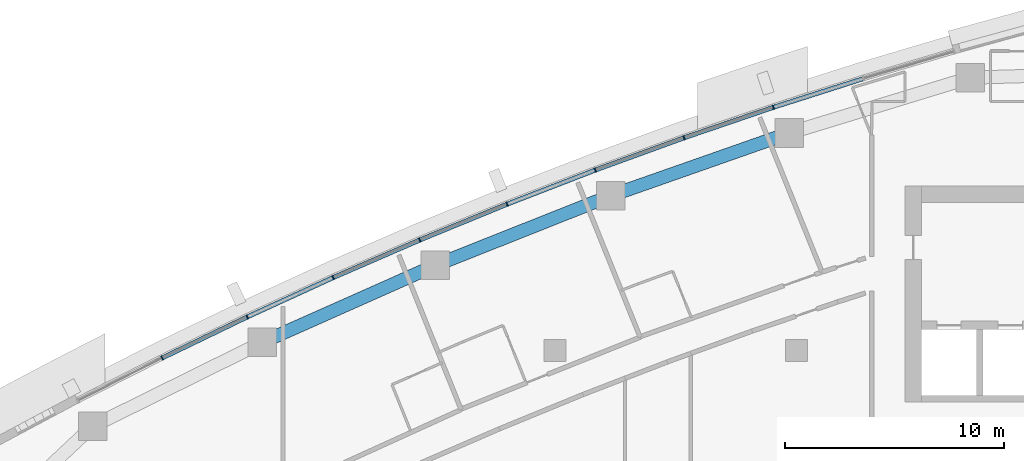
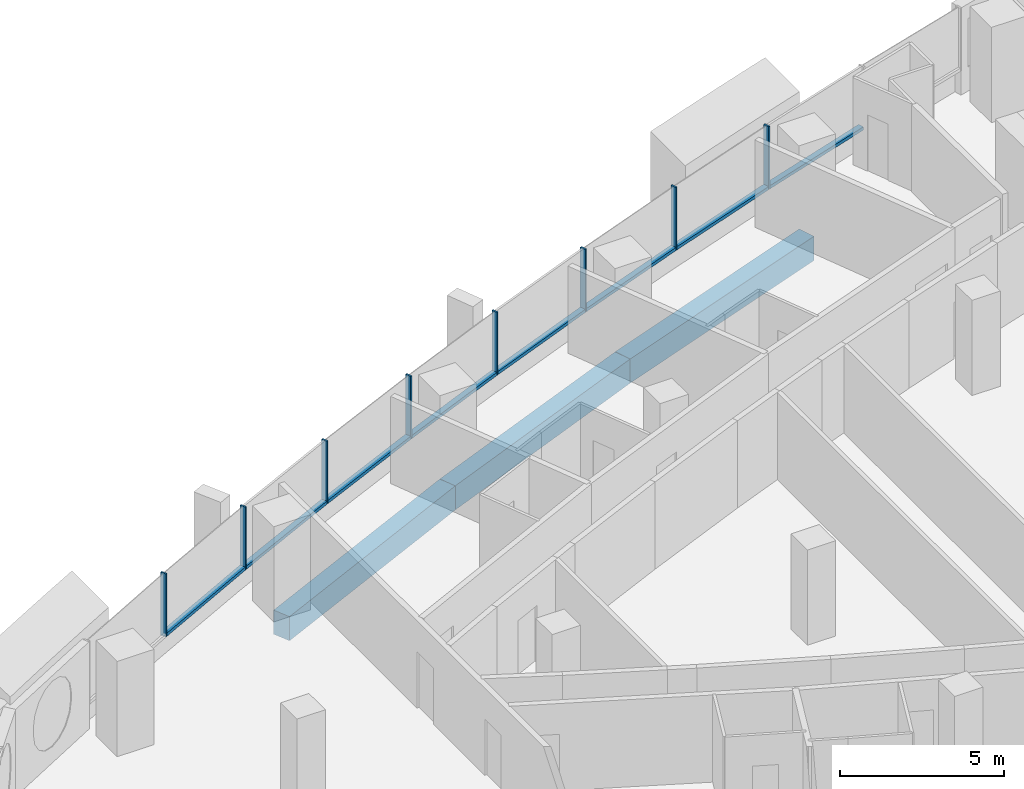
# One storey, part 6 of 17: 16 members, 3 beams, 5 elements without a shape of their own.
"""IFC4 building model written with IfcOpenShell, lengths in metres."""

from ifc_helpers import new_model, si_unit, direction, frame, origin, origin_2d, place, context, subcontext, project, spatial, rectangle, extrude, material, layer, layer_set, material_profile, profile_set, type_object, element, aggregate, save


model = new_model("IFC4")

# Units and contexts
model_context = context("Model", 3, precision=1e-05, world=origin(), true_north=direction((0.0, 1.0)))
body_context = subcontext(model_context, "Body", "Model", "MODEL_VIEW")
ifc_project = project(units=[si_unit("LENGTHUNIT", "METRE"), si_unit("AREAUNIT", "SQUARE_METRE"), si_unit("VOLUMEUNIT", "CUBIC_METRE"), si_unit("PLANEANGLEUNIT", "RADIAN"), si_unit("MASSUNIT", "GRAM", prefix="KILO")], contexts=[model_context])

# Site, building, storey
site_placement = place(None, origin())
site = spatial("IfcSite", under=ifc_project, at=site_placement, CompositionType="ELEMENT")
building_placement = place(site_placement, origin())
building = spatial("IfcBuilding", under=site, at=building_placement, Name="Ostrand Prow Hotel Tower", CompositionType="ELEMENT")
storey_placement = place(building_placement, frame((0.0, 0.0, 193.25)))
storey = spatial("IfcBuildingStorey", under=building, at=storey_placement, Name="L48", CompositionType="ELEMENT", Elevation=193.25)

# Beams
ifc_material_1 = material(Name="Concrete C60/75", Category="concrete")
ifc_material_profile_1 = material_profile(ifc_material_1, rectangle(XDim=0.60009765625, YDim=0.89990234375, at=origin_2d()), Name="RC 600x900")
ifc_profile_set_1 = profile_set([ifc_material_profile_1], Name="Concrete C60/75")
beam_type = type_object("IfcBeamType", Name="Edge beam 600x900 C60/75", PredefinedType="SPANDREL", material=ifc_profile_set_1)
for number, where, z_axis, x_axis, name in (
    (1, (44.6826171875, 18.91552734375, -0.75), (-0.943593618681, -0.33110584831, 0.0), (0.33110584831, -0.943593618681, 0.0), "Edge beam N2-N3"),
    (2, (36.547119140625, 16.060791015625, -0.75), (-0.929376173753, -0.36913402398, 0.0), (0.36913402398, -0.929376173753, 0.0), "Edge beam N3-N4"),
    (3, (28.5341796875, 12.878173828125, -0.75), (-0.91364332073, -0.406516767779, 0.0), (0.406516767779, -0.91364332073, 0.0), "Edge beam N4-N5"),
):
    element("IfcBeam", number, at=place(storey_placement, frame(where, z_axis=z_axis, x_axis=x_axis)), inside=storey, type_object=beam_type, Name=name, PredefinedType="SPANDREL", context=body_context, shape_type="SweptSolid", body=[
        extrude(rectangle(XDim=0.60009765625, YDim=0.89990234375, at=origin_2d()), origin(), (0.0, 0.0, 1.0), 8.621826171875),
    ])

# Curtain wall, member
ifc_material_2 = material(Name="Insulated glass in bronze anodised frame", Category="glass")
ifc_layer = layer(ifc_material_2, 0.199951171875)
ifc_layer_set = layer_set([ifc_layer], Name="Insulated glass in bronze anodised frame")
curtain_wall_type = type_object("IfcCurtainWallType", Name="Strip curtain wall, fritted glass over bronze spandrel", PredefinedType="NOTDEFINED", material=ifc_layer_set)
curtain_wall_1_placement = place(storey_placement, origin())
curtain_wall_1 = element("IfcCurtainWall", 4, at=curtain_wall_1_placement, inside=storey, type_object=curtain_wall_type, Name="CW1 run CWN1", PredefinedType="NOTDEFINED")
ifc_material_3 = material(Name="Bronze anodised aluminium", Category="aluminium")
ifc_material_profile_2 = material_profile(ifc_material_3, rectangle(XDim=0.199951171875, YDim=0.06005859375, at=origin_2d()), Name="Mullion 60x200 bronze anodised aluminium")
ifc_profile_set_2 = profile_set([ifc_material_profile_2], Name="Bronze anodised aluminium")
member_type_1 = type_object("IfcMemberType", Name="Mullion 60x200 bronze anodised aluminium", PredefinedType="MULLION", material=ifc_profile_set_2)
member_1_placement = place(storey_placement, frame((43.95361328125, 20.086669921875, 0.89990234375), z_axis=(0.0, 0.0, 1.0), x_axis=(0.303786970008, -0.952739983864, 0.0)))
member_1 = element("IfcMember", 5, at=member_1_placement, type_object=member_type_1, Name="CW1 mullion 3", PredefinedType="MULLION", context=body_context, shape_type="SweptSolid", body=[
    extrude(rectangle(XDim=0.199951171875, YDim=0.06005859375, at=origin_2d()), origin(), (0.0, 0.0, 1.0), 2.35009765625),
])

# Curtain wall, members
curtain_wall_2_placement = place(storey_placement, origin())
curtain_wall_2 = element("IfcCurtainWall", 6, at=curtain_wall_2_placement, inside=storey, type_object=curtain_wall_type, Name="CW1 run CWN2", PredefinedType="NOTDEFINED")
member_2_placement = place(storey_placement, frame((39.87939453125, 18.696533203125, 0.89990234375), z_axis=(0.0, 0.0, 1.0), x_axis=(0.341897134919, -0.939737383067, 0.0)))
member_2 = element("IfcMember", 7, at=member_2_placement, type_object=member_type_1, Name="CW1 mullion 2", PredefinedType="MULLION", context=body_context, shape_type="SweptSolid", body=[
    extrude(rectangle(XDim=0.199951171875, YDim=0.06005859375, at=origin_2d()), origin(), (0.0, 0.0, 1.0), 2.35009765625),
])
member_3_placement = place(storey_placement, frame((35.833740234375, 17.224609375, 0.89990234375), z_axis=(0.0, 0.0, 1.0), x_axis=(0.341897134919, -0.939737383067, 0.0)))
member_3 = element("IfcMember", 8, at=member_3_placement, type_object=member_type_1, Name="CW1 mullion 3", PredefinedType="MULLION", context=body_context, shape_type="SweptSolid", body=[
    extrude(rectangle(XDim=0.199951171875, YDim=0.06005859375, at=origin_2d()), origin(), (0.0, 0.0, 1.0), 2.35009765625),
])

curtain_wall_3_placement = place(storey_placement, origin())
curtain_wall_3 = element("IfcCurtainWall", 9, at=curtain_wall_3_placement, inside=storey, type_object=curtain_wall_type, Name="CW1 run CWN3", PredefinedType="NOTDEFINED")
member_4_placement = place(storey_placement, frame((31.818603515625, 15.671630859375, 0.89990234375), z_axis=(0.0, 0.0, 1.0), x_axis=(0.379452929936, -0.925211042932, 0.0)))
member_4 = element("IfcMember", 10, at=member_4_placement, type_object=member_type_1, Name="CW1 mullion 2", PredefinedType="MULLION", context=body_context, shape_type="SweptSolid", body=[
    extrude(rectangle(XDim=0.199951171875, YDim=0.06005859375, at=origin_2d()), origin(), (0.0, 0.0, 1.0), 2.35009765625),
])
member_5_placement = place(storey_placement, frame((27.83544921875, 14.0380859375, 0.89990234375), z_axis=(0.0, 0.0, 1.0), x_axis=(0.379452929936, -0.925211042932, 0.0)))
member_5 = element("IfcMember", 11, at=member_5_placement, type_object=member_type_1, Name="CW1 mullion 3", PredefinedType="MULLION", context=body_context, shape_type="SweptSolid", body=[
    extrude(rectangle(XDim=0.199951171875, YDim=0.06005859375, at=origin_2d()), origin(), (0.0, 0.0, 1.0), 2.35009765625),
])

curtain_wall_4_placement = place(storey_placement, origin())
curtain_wall_4 = element("IfcCurtainWall", 12, at=curtain_wall_4_placement, inside=storey, type_object=curtain_wall_type, Name="CW1 run CWN4", PredefinedType="NOTDEFINED")
member_6_placement = place(storey_placement, frame((23.885986328125, 12.32470703125, 0.89990234375), z_axis=(0.0, 0.0, 1.0), x_axis=(0.416393460127, -0.909184517226, 0.0)))
member_6 = element("IfcMember", 13, at=member_6_placement, type_object=member_type_1, Name="CW1 mullion 2", PredefinedType="MULLION", context=body_context, shape_type="SweptSolid", body=[
    extrude(rectangle(XDim=0.199951171875, YDim=0.06005859375, at=origin_2d()), origin(), (0.0, 0.0, 1.0), 2.35009765625),
])
member_7_placement = place(storey_placement, frame((19.971923828125, 10.531982421875, 0.89990234375), z_axis=(0.0, 0.0, 1.0), x_axis=(0.416393460127, -0.909184517226, 0.0)))
member_7 = element("IfcMember", 14, at=member_7_placement, type_object=member_type_1, Name="CW1 mullion 3", PredefinedType="MULLION", context=body_context, shape_type="SweptSolid", body=[
    extrude(rectangle(XDim=0.199951171875, YDim=0.06005859375, at=origin_2d()), origin(), (0.0, 0.0, 1.0), 2.35009765625),
])

# Curtain wall, member
curtain_wall_5_placement = place(storey_placement, origin())
curtain_wall_5 = element("IfcCurtainWall", 15, at=curtain_wall_5_placement, inside=storey, type_object=curtain_wall_type, Name="CW1 run CWN5", PredefinedType="NOTDEFINED")
member_8_placement = place(storey_placement, frame((16.0947265625, 8.660888671875, 0.89990234375), z_axis=(0.0, 0.0, 1.0), x_axis=(0.452658828186, -0.891683792196, 0.0)))
member_8 = element("IfcMember", 16, at=member_8_placement, type_object=member_type_1, Name="CW1 mullion 2", PredefinedType="MULLION", context=body_context, shape_type="SweptSolid", body=[
    extrude(rectangle(XDim=0.199951171875, YDim=0.06005859375, at=origin_2d()), origin(), (0.0, 0.0, 1.0), 2.35009765625),
])

# Member
ifc_material_4 = material(Name="Bronze anodised aluminium", Category="aluminium")
ifc_material_profile_3 = material_profile(ifc_material_4, rectangle(XDim=0.199951171875, YDim=0.1201171875, at=origin_2d()), Name="Transom 120x200 bronze anodised aluminium")
ifc_profile_set_3 = profile_set([ifc_material_profile_3], Name="Bronze anodised aluminium")
member_type_2 = type_object("IfcMemberType", Name="Transom 120x200 bronze anodised aluminium", PredefinedType="USERDEFINED", material=ifc_profile_set_3)
member_9_placement = place(storey_placement, frame((48.026611328125, 21.385498046875, 0.9599609375), z_axis=(-0.952737512605, -0.303794720289, 0.0), x_axis=(0.303794720289, -0.952737512605, 0.0)))
member_9 = element("IfcMember", 17, at=member_9_placement, type_object=member_type_2, Name="CW1 transom 2.1", ObjectType="TRANSOM", PredefinedType="USERDEFINED", context=body_context, shape_type="SweptSolid", body=[
    extrude(rectangle(XDim=0.199951171875, YDim=0.1201171875, at=origin_2d()), origin(), (0.0, 0.0, 1.0), 4.244873046875),
])

aggregate(curtain_wall_1, [member_1, member_9])

member_10_placement = place(storey_placement, frame((43.92529296875, 20.0771484375, 0.9599609375), z_axis=(-0.946422327772, -0.322931536852, 0.0), x_axis=(0.322931536852, -0.946422327772, 0.0)))
member_10 = element("IfcMember", 18, at=member_10_placement, type_object=member_type_2, Name="CW1 transom 1.1", ObjectType="TRANSOM", PredefinedType="USERDEFINED", context=body_context, shape_type="SweptSolid", body=[
    extrude(rectangle(XDim=0.199951171875, YDim=0.1201171875, at=origin_2d()), origin(), (0.0, 0.0, 1.0), 4.2451171875),
])

member_11_placement = place(storey_placement, frame((39.85107421875, 18.686279296875, 0.9599609375), z_axis=(-0.939753116272, -0.341853887584, 0.0), x_axis=(0.341853887584, -0.939753116272, 0.0)))
member_11 = element("IfcMember", 19, at=member_11_placement, type_object=member_type_2, Name="CW1 transom 2.1", ObjectType="TRANSOM", PredefinedType="USERDEFINED", context=body_context, shape_type="SweptSolid", body=[
    extrude(rectangle(XDim=0.199951171875, YDim=0.1201171875, at=origin_2d()), origin(), (0.0, 0.0, 1.0), 4.2451171875),
])

aggregate(curtain_wall_2, [member_2, member_3, member_10, member_11])

member_12_placement = place(storey_placement, frame((35.8056640625, 17.2138671875, 0.9599609375), z_axis=(-0.932675482501, -0.360716570651, 0.0), x_axis=(0.360716570651, -0.932675482501, 0.0)))
member_12 = element("IfcMember", 20, at=member_12_placement, type_object=member_type_2, Name="CW1 transom 1.1", ObjectType="TRANSOM", PredefinedType="USERDEFINED", context=body_context, shape_type="SweptSolid", body=[
    extrude(rectangle(XDim=0.199951171875, YDim=0.1201171875, at=origin_2d()), origin(), (0.0, 0.0, 1.0), 4.2451171875),
])

member_13_placement = place(storey_placement, frame((31.790771484375, 15.660400390625, 0.9599609375), z_axis=(-0.925213143858, -0.379447807258, 0.0), x_axis=(0.379447807258, -0.925213143858, 0.0)))
member_13 = element("IfcMember", 21, at=member_13_placement, type_object=member_type_2, Name="CW1 transom 2.1", ObjectType="TRANSOM", PredefinedType="USERDEFINED", context=body_context, shape_type="SweptSolid", body=[
    extrude(rectangle(XDim=0.199951171875, YDim=0.1201171875, at=origin_2d()), origin(), (0.0, 0.0, 1.0), 4.2451171875),
])

aggregate(curtain_wall_3, [member_4, member_5, member_12, member_13])

member_14_placement = place(storey_placement, frame((27.807861328125, 14.026123046875, 0.9599609375), z_axis=(-0.917389785482, -0.397989926371, 0.0), x_axis=(0.397989926371, -0.917389785482, 0.0)))
member_14 = element("IfcMember", 22, at=member_14_placement, type_object=member_type_2, Name="CW1 transom 1.1", ObjectType="TRANSOM", PredefinedType="USERDEFINED", context=body_context, shape_type="SweptSolid", body=[
    extrude(rectangle(XDim=0.199951171875, YDim=0.1201171875, at=origin_2d()), origin(), (0.0, 0.0, 1.0), 4.244873046875),
])

member_15_placement = place(storey_placement, frame((23.858642578125, 12.312255859375, 0.9599609375), z_axis=(-0.909159196143, -0.416448743628, 0.0), x_axis=(0.416448743628, -0.909159196143, 0.0)))
member_15 = element("IfcMember", 23, at=member_15_placement, type_object=member_type_2, Name="CW1 transom 2.1", ObjectType="TRANSOM", PredefinedType="USERDEFINED", context=body_context, shape_type="SweptSolid", body=[
    extrude(rectangle(XDim=0.199951171875, YDim=0.1201171875, at=origin_2d()), origin(), (0.0, 0.0, 1.0), 4.244873046875),
])

aggregate(curtain_wall_4, [member_6, member_7, member_14, member_15])

member_16_placement = place(storey_placement, frame((19.94482421875, 10.51904296875, 0.9599609375), z_axis=(-0.900619174345, -0.434609137965, 0.0), x_axis=(0.434609137965, -0.900619174345, 0.0)))
member_16 = element("IfcMember", 24, at=member_16_placement, type_object=member_type_2, Name="CW1 transom 1.1", ObjectType="TRANSOM", PredefinedType="USERDEFINED", context=body_context, shape_type="SweptSolid", body=[
    extrude(rectangle(XDim=0.199951171875, YDim=0.1201171875, at=origin_2d()), origin(), (0.0, 0.0, 1.0), 4.2451171875),
])

aggregate(curtain_wall_5, [member_8, member_16])

save(model, "model.ifc")
